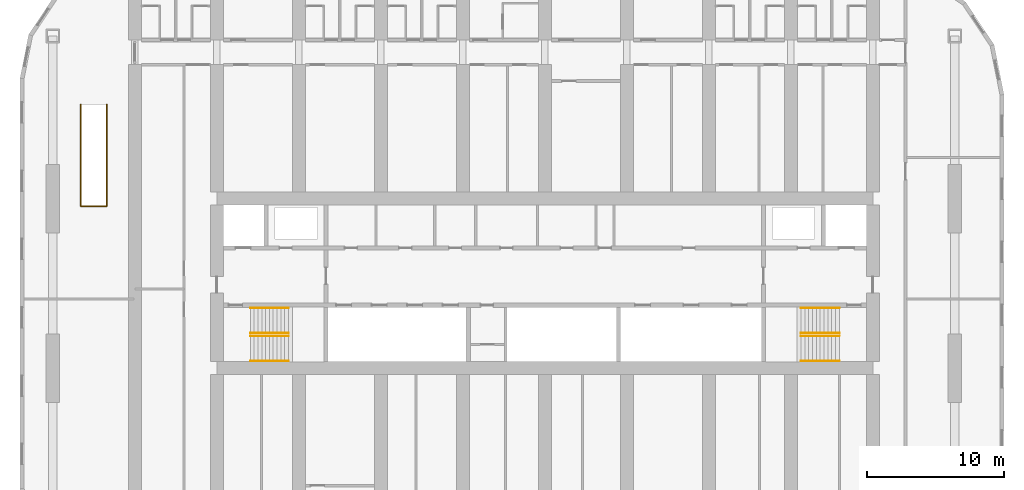
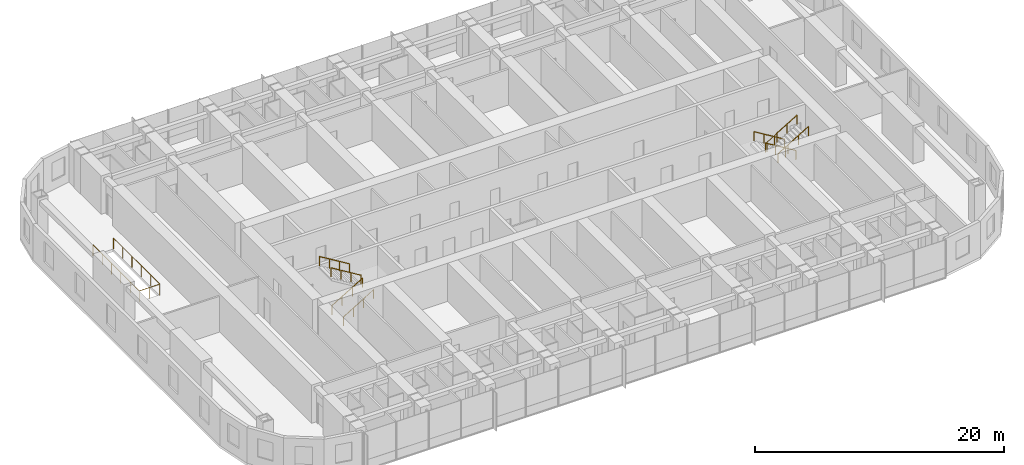
# One storey, part 21 of 21: 9 railings.
"""IFC4 building model written with IfcOpenShell, lengths in metres."""

from ifc_helpers import new_model, si_unit, direction, frame, origin, origin_2d, place, context, subcontext, project, spatial, circle, extrude, material, type_object, element, save


model = new_model("IFC4")

# Units and contexts
model_context = context("Model", 3, precision=1e-05, world=origin(), true_north=direction((0.0, 1.0)))
body_context = subcontext(model_context, "Body", "Model", "MODEL_VIEW")
ifc_project = project(units=[si_unit("LENGTHUNIT", "METRE"), si_unit("AREAUNIT", "SQUARE_METRE"), si_unit("VOLUMEUNIT", "CUBIC_METRE"), si_unit("PLANEANGLEUNIT", "RADIAN"), si_unit("MASSUNIT", "GRAM", prefix="KILO")], contexts=[model_context])

# Site, building, storey
site_placement = place(None, origin())
site = spatial("IfcSite", under=ifc_project, at=site_placement, CompositionType="ELEMENT")
building_placement = place(site_placement, origin())
building = spatial("IfcBuilding", under=site, at=building_placement, Name="Orbita Commons", CompositionType="ELEMENT")
storey_placement = place(building_placement, frame((0.0, 0.0, 88.14990234375)))
storey = spatial("IfcBuildingStorey", under=building, at=storey_placement, Name="L21", CompositionType="ELEMENT", Elevation=88.14990234375)

# Railings
ifc_material_1 = material(Name="Steel tube, painted", Category="steel")
railing_type_1 = type_object("IfcRailingType", Name="Stair handrail steel tube 900", PredefinedType="HANDRAIL", material=ifc_material_1)
for number, where, name in (
    (1, (20.449951171875, 28.1650390625, 0.170654296875), "Stair S1 handrail L21 flight 1"),
    (2, (20.449951171875, 26.3349609375, 0.170654296875), "Stair S1 handrail L21 flight 1"),
):
    element("IfcRailing", number, at=place(storey_placement, frame(where)), inside=storey, type_object=railing_type_1, Name=name, PredefinedType="HANDRAIL", context=body_context, shape_type="SweptSolid", body=[
        extrude(circle(Radius=0.02099609375, at=origin_2d()), frame((0.0, 0.0, 0.87890625), z_axis=(0.854202870247, 0.0, 0.519939858505), x_axis=(0.0, 1.0, 0.0)), (0.0, 0.0, 1.0), 3.278076171875),
        extrude(circle(Radius=0.02001953125, at=origin_2d()), origin(), (0.0, 0.0, 1.0), 0.85791015625),
        extrude(circle(Radius=0.02001953125, at=origin_2d()), frame((0.933349609375, 0.0, 0.568115234375)), (0.0, 0.0, 1.0), 0.85791015625),
        extrude(circle(Radius=0.02001953125, at=origin_2d()), frame((1.86669921875, 0.0, 1.13623046875)), (0.0, 0.0, 1.0), 0.85791015625),
        extrude(circle(Radius=0.02001953125, at=origin_2d()), frame((2.800048828125, 0.0, 1.704345703125)), (0.0, 0.0, 1.0), 0.85791015625),
    ])
for number, where, name in (
    (3, (23.25, 28.360107421875, 2.045654296875), "Stair S1 handrail L21 flight 2"),
    (4, (23.25, 30.18994140625, 2.045654296875), "Stair S1 handrail L21 flight 2"),
    (5, (63.550048828125, 28.360107421875, 0.170654296875), "Stair S2 handrail L21 flight 1"),
    (6, (63.550048828125, 30.18994140625, 0.170654296875), "Stair S2 handrail L21 flight 1"),
):
    element("IfcRailing", number, at=place(storey_placement, frame(where)), inside=storey, type_object=railing_type_1, Name=name, PredefinedType="HANDRAIL", context=body_context, shape_type="SweptSolid", body=[
        extrude(circle(Radius=0.02099609375, at=origin_2d()), frame((0.0, 0.0, 0.87890625), z_axis=(-0.854202870247, 0.0, 0.519939858505), x_axis=(0.0, -1.0, 0.0)), (0.0, 0.0, 1.0), 3.278076171875),
        extrude(circle(Radius=0.02001953125, at=origin_2d()), origin(), (0.0, 0.0, 1.0), 0.85791015625),
        extrude(circle(Radius=0.02001953125, at=origin_2d()), frame((-0.933349609375, 0.0, 0.568115234375)), (0.0, 0.0, 1.0), 0.85791015625),
        extrude(circle(Radius=0.02001953125, at=origin_2d()), frame((-1.86669921875, 0.0, 1.13623046875)), (0.0, 0.0, 1.0), 0.85791015625),
        extrude(circle(Radius=0.02001953125, at=origin_2d()), frame((-2.800048828125, 0.0, 1.704345703125)), (0.0, 0.0, 1.0), 0.85791015625),
    ])
for number, where, name in (
    (7, (60.75, 28.1650390625, 2.045654296875), "Stair S2 handrail L21 flight 2"),
    (8, (60.75, 26.3349609375, 2.045654296875), "Stair S2 handrail L21 flight 2"),
):
    element("IfcRailing", number, at=place(storey_placement, frame(where)), inside=storey, type_object=railing_type_1, Name=name, PredefinedType="HANDRAIL", context=body_context, shape_type="SweptSolid", body=[
        extrude(circle(Radius=0.02099609375, at=origin_2d()), frame((0.0, 0.0, 0.87890625), z_axis=(0.854202870247, 0.0, 0.519939858505), x_axis=(0.0, 1.0, 0.0)), (0.0, 0.0, 1.0), 3.278076171875),
        extrude(circle(Radius=0.02001953125, at=origin_2d()), origin(), (0.0, 0.0, 1.0), 0.85791015625),
        extrude(circle(Radius=0.02001953125, at=origin_2d()), frame((0.933349609375, 0.0, 0.568115234375)), (0.0, 0.0, 1.0), 0.85791015625),
        extrude(circle(Radius=0.02001953125, at=origin_2d()), frame((1.86669921875, 0.0, 1.13623046875)), (0.0, 0.0, 1.0), 0.85791015625),
        extrude(circle(Radius=0.02001953125, at=origin_2d()), frame((2.800048828125, 0.0, 1.704345703125)), (0.0, 0.0, 1.0), 0.85791015625),
    ])
ifc_material_2 = material(Name="Laminated glass on steel posts", Category="steel")
railing_type_2 = type_object("IfcRailingType", Name="Void guard, glass on steel posts 1100", PredefinedType="GUARDRAIL", material=ifc_material_2)
railing_placement = place(storey_placement, frame((8.050048828125, 45.10009765625, 0.0)))
element("IfcRailing", 9, at=railing_placement, inside=storey, type_object=railing_type_2, Name="Void guard L21", PredefinedType="GUARDRAIL", context=body_context, shape_type="SweptSolid", body=[
    extrude(circle(Radius=0.02490234375, at=origin_2d()), frame((0.0, 0.0, 1.0751953125), z_axis=(0.0, -1.0, 0.0), x_axis=(1.0, 0.0, 0.0)), (0.0, 0.0, 1.0), 7.4501953125),
    extrude(circle(Radius=0.02490234375, at=origin_2d()), frame((0.0, -7.4501953125, 1.0751953125), z_axis=(1.0, 0.0, 0.0), x_axis=(0.0, 1.0, 0.0)), (0.0, 0.0, 1.0), 1.89990234375),
    extrude(circle(Radius=0.02490234375, at=origin_2d()), frame((1.89990234375, -7.4501953125, 1.0751953125), z_axis=(0.0, 1.0, 0.0), x_axis=(-1.0, 0.0, 0.0)), (0.0, 0.0, 1.0), 7.4501953125),
    extrude(circle(Radius=0.02490234375, at=origin_2d()), origin(), (0.0, 0.0, 1.0), 1.050048828125),
    extrude(circle(Radius=0.02490234375, at=origin_2d()), frame((0.0, -1.489990234375, 0.0)), (0.0, 0.0, 1.0), 1.050048828125),
    extrude(circle(Radius=0.02490234375, at=origin_2d()), frame((0.0, -2.97998046875, 0.0)), (0.0, 0.0, 1.0), 1.050048828125),
    extrude(circle(Radius=0.02490234375, at=origin_2d()), frame((0.0, -4.47021484375, 0.0)), (0.0, 0.0, 1.0), 1.050048828125),
    extrude(circle(Radius=0.02490234375, at=origin_2d()), frame((0.0, -5.960205078125, 0.0)), (0.0, 0.0, 1.0), 1.050048828125),
    extrude(circle(Radius=0.02490234375, at=origin_2d()), frame((0.0, -7.4501953125, 0.0)), (0.0, 0.0, 1.0), 1.050048828125),
    extrude(circle(Radius=0.02490234375, at=origin_2d()), frame((0.949951171875, -7.4501953125, 0.0)), (0.0, 0.0, 1.0), 1.050048828125),
    extrude(circle(Radius=0.02490234375, at=origin_2d()), frame((1.89990234375, -7.4501953125, 0.0)), (0.0, 0.0, 1.0), 1.050048828125),
    extrude(circle(Radius=0.02490234375, at=origin_2d()), frame((1.89990234375, -5.960205078125, 0.0)), (0.0, 0.0, 1.0), 1.050048828125),
    extrude(circle(Radius=0.02490234375, at=origin_2d()), frame((1.89990234375, -4.47021484375, 0.0)), (0.0, 0.0, 1.0), 1.050048828125),
    extrude(circle(Radius=0.02490234375, at=origin_2d()), frame((1.89990234375, -2.97998046875, 0.0)), (0.0, 0.0, 1.0), 1.050048828125),
    extrude(circle(Radius=0.02490234375, at=origin_2d()), frame((1.89990234375, -1.489990234375, 0.0)), (0.0, 0.0, 1.0), 1.050048828125),
    extrude(circle(Radius=0.02490234375, at=origin_2d()), frame((1.89990234375, 0.0, 0.0)), (0.0, 0.0, 1.0), 1.050048828125),
])

save(model, "model.ifc")
